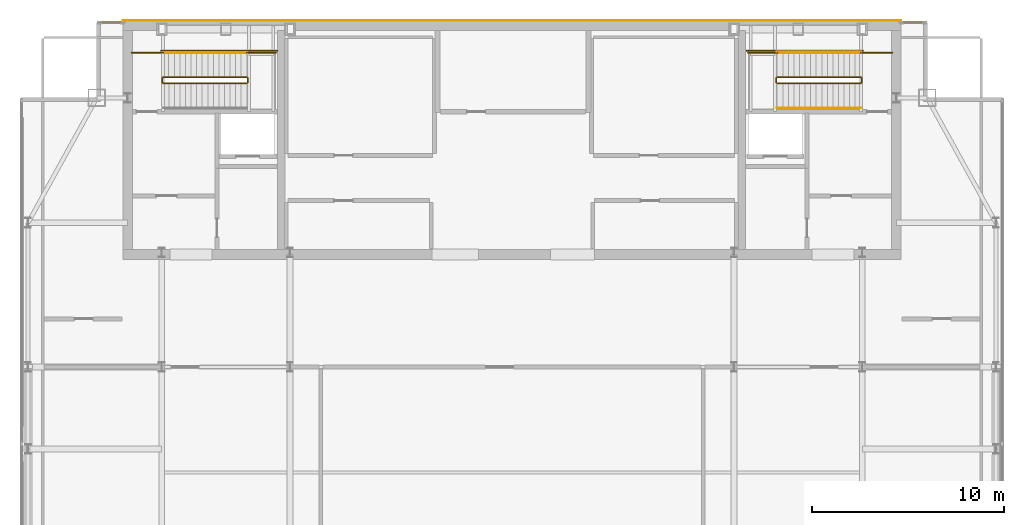
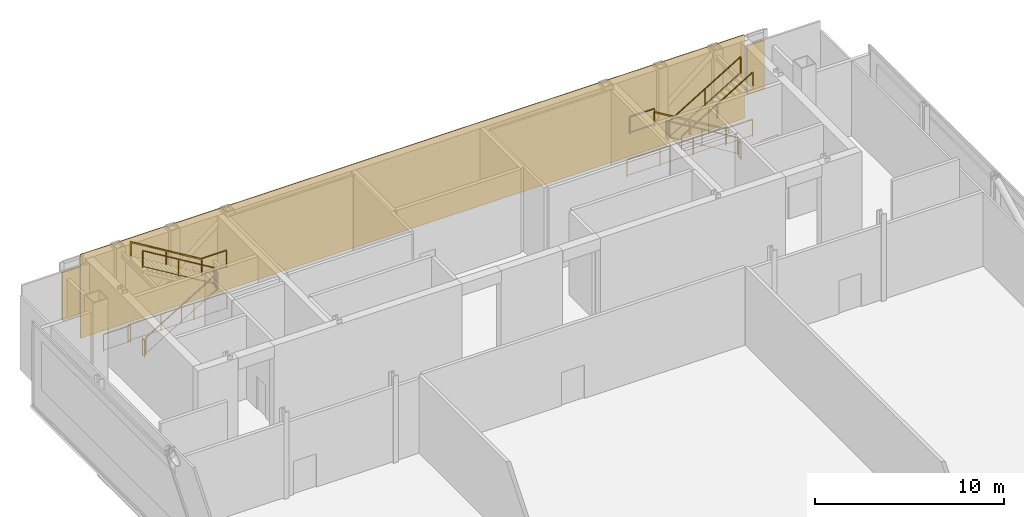
# One storey, part 22 of 22: 17 railings, 2 shading devices, 1 covering.
"""IFC4 building model written with IfcOpenShell, lengths in metres."""

from ifc_helpers import new_model, si_unit, direction, frame, origin, origin_2d, place, context, subcontext, project, spatial, polyline, rectangle, outline, extrude, material, layer, layer_set, type_object, element, save


model = new_model("IFC4")

# Units and contexts
model_context = context("Model", 3, precision=1e-05, world=origin(), true_north=direction((0.0, 1.0)))
body_context = subcontext(model_context, "Body", "Model", "MODEL_VIEW")
ifc_project = project(units=[si_unit("LENGTHUNIT", "METRE"), si_unit("AREAUNIT", "SQUARE_METRE"), si_unit("VOLUMEUNIT", "CUBIC_METRE"), si_unit("PLANEANGLEUNIT", "RADIAN"), si_unit("MASSUNIT", "GRAM", prefix="KILO")], contexts=[model_context])

# Site, building, storey
site_placement = place(None, origin())
site = spatial("IfcSite", under=ifc_project, at=site_placement, CompositionType="ELEMENT")
building_placement = place(site_placement, origin())
building = spatial("IfcBuilding", under=site, at=building_placement, Name="Khoronbel Lancet Exchange", CompositionType="ELEMENT")
storey_placement = place(building_placement, frame((0.0, 0.0, 367.39990234375)))
storey = spatial("IfcBuildingStorey", under=building, at=storey_placement, Name="L94", CompositionType="ELEMENT", Elevation=367.39990234375)

# Covering
ifc_material_1 = material(Name="Honed Egyptian Limestone & Bronze Rainscreen", Category="masonry")
ifc_layer_1 = layer(ifc_material_1, 0.050048828125, Name="Honed Egyptian Limestone & Bronze Rainscreen")
ifc_layer_set_1 = layer_set([ifc_layer_1], Name="Honed Egyptian Limestone & Bronze Rainscreen")
covering_type = type_object("IfcCoveringType", Name="COV-CLAD1", PredefinedType="CLADDING", material=ifc_layer_set_1)
covering_placement = place(storey_placement, origin())
element("IfcCovering", 1, at=covering_placement, inside=storey, type_object=covering_type, Name="Level L94 north rear-core stone and bronze rainscreen cladding", PredefinedType="CLADDING", context=body_context, shape_type="SweptSolid", body=[
    extrude(outline(polyline([(16.199951171875, 53.699951171875), (56.699951171875, 53.699951171875), (56.699951171875, 53.75), (16.199951171875, 53.75), (16.199951171875, 53.699951171875)])), origin(), (0.0, 0.0, 1.0), 5.400146484375),
])

# Railings
ifc_material_2 = material(Name="Painted Steel Balustrade", Category="steel")
railing_type_1 = type_object("IfcRailingType", Name="RL-STG110", PredefinedType="GUARDRAIL", material=ifc_material_2)
railing_1_placement = place(storey_placement, frame((18.300048828125, 50.449951171875, 0.175048828125)))
element("IfcRailing", 2, at=railing_1_placement, inside=storey, type_object=railing_type_1, Name="L94 ST1 stair guard 1", PredefinedType="GUARDRAIL", context=body_context, shape_type="SweptSolid", body=[
    extrude(rectangle(XDim=0.048095703125, YDim=0.048095703125, at=origin_2d()), frame((0.0, 0.0, 1.09619140625), z_axis=(0.856179964356, 0.0, 0.516677722218), x_axis=(0.0, 1.0, 0.0)), (0.0, 0.0, 1.0), 5.08056640625),
    extrude(rectangle(XDim=0.02392578125, YDim=0.02392578125, at=origin_2d()), frame((0.0, 0.0, 0.080078125), z_axis=(0.856179964356, 0.0, 0.516677722218), x_axis=(0.0, 1.0, 0.0)), (0.0, 0.0, 1.0), 5.08056640625),
    extrude(rectangle(XDim=0.0419921875, YDim=0.0419921875, at=origin_2d()), origin(), (0.0, 0.0, 1.0), 1.072021484375),
    extrude(rectangle(XDim=0.0419921875, YDim=0.0419921875, at=origin_2d()), frame((2.1748046875, 0.0, 1.3125)), (0.0, 0.0, 1.0), 1.072021484375),
    extrude(rectangle(XDim=0.0419921875, YDim=0.0419921875, at=origin_2d()), frame((4.349853515625, 0.0, 2.625)), (0.0, 0.0, 1.0), 1.072021484375),
])
railing_2_placement = place(storey_placement, frame((22.699951171875, 50.5, 2.800048828125)))
element("IfcRailing", 3, at=railing_2_placement, inside=storey, type_object=railing_type_1, Name="L94 ST1 stair guard 2", PredefinedType="GUARDRAIL", context=body_context, shape_type="SweptSolid", body=[
    extrude(rectangle(XDim=0.048095703125, YDim=0.048095703125, at=origin_2d()), frame((0.0, 0.0, 1.09619140625), z_axis=(0.0, 1.0, 0.0), x_axis=(-1.0, 0.0, 0.0)), (0.0, 0.0, 1.0), 0.219970703125),
    extrude(rectangle(XDim=0.02392578125, YDim=0.02392578125, at=origin_2d()), frame((0.0, 0.0, 0.080078125), z_axis=(0.0, 1.0, 0.0), x_axis=(-1.0, 0.0, 0.0)), (0.0, 0.0, 1.0), 0.219970703125),
    extrude(rectangle(XDim=0.0419921875, YDim=0.0419921875, at=origin_2d()), origin(), (0.0, 0.0, 1.0), 1.072021484375),
    extrude(rectangle(XDim=0.0419921875, YDim=0.0419921875, at=origin_2d()), frame((0.0, 0.219970703125, 0.0)), (0.0, 0.0, 1.0), 1.072021484375),
])
railing_3_placement = place(storey_placement, frame((22.64990234375, 52.050048828125, 2.800048828125)))
element("IfcRailing", 4, at=railing_3_placement, inside=storey, type_object=railing_type_1, Name="L94 ST1 stair guard 3", PredefinedType="GUARDRAIL", context=body_context, shape_type="SweptSolid", body=[
    extrude(rectangle(XDim=0.048095703125, YDim=0.048095703125, at=origin_2d()), frame((0.0, 0.0, 1.09619140625), z_axis=(1.0, 0.0, 0.0), x_axis=(0.0, 1.0, 0.0)), (0.0, 0.0, 1.0), 1.5),
    extrude(rectangle(XDim=0.02392578125, YDim=0.02392578125, at=origin_2d()), frame((0.0, 0.0, 0.080078125), z_axis=(1.0, 0.0, 0.0), x_axis=(0.0, 1.0, 0.0)), (0.0, 0.0, 1.0), 1.5),
    extrude(rectangle(XDim=0.0419921875, YDim=0.0419921875, at=origin_2d()), origin(), (0.0, 0.0, 1.0), 1.072021484375),
    extrude(rectangle(XDim=0.0419921875, YDim=0.0419921875, at=origin_2d()), frame((1.5, 0.0, 0.0)), (0.0, 0.0, 1.0), 1.072021484375),
])
railing_4_placement = place(storey_placement, frame((22.64990234375, 50.77001953125, 2.97509765625)))
element("IfcRailing", 5, at=railing_4_placement, inside=storey, type_object=railing_type_1, Name="L94 ST1 stair guard 4", PredefinedType="GUARDRAIL", context=body_context, shape_type="SweptSolid", body=[
    extrude(rectangle(XDim=0.048095703125, YDim=0.048095703125, at=origin_2d()), frame((0.0, 0.0, 1.09619140625), z_axis=(-0.856179964356, 0.0, 0.516677722218), x_axis=(0.0, -1.0, 0.0)), (0.0, 0.0, 1.0), 5.08056640625),
    extrude(rectangle(XDim=0.02392578125, YDim=0.02392578125, at=origin_2d()), frame((0.0, 0.0, 0.080078125), z_axis=(-0.856179964356, 0.0, 0.516677722218), x_axis=(0.0, -1.0, 0.0)), (0.0, 0.0, 1.0), 5.08056640625),
    extrude(rectangle(XDim=0.0419921875, YDim=0.0419921875, at=origin_2d()), origin(), (0.0, 0.0, 1.0), 1.072021484375),
    extrude(rectangle(XDim=0.0419921875, YDim=0.0419921875, at=origin_2d()), frame((-2.1748046875, 0.0, 1.3125)), (0.0, 0.0, 1.0), 1.072021484375),
    extrude(rectangle(XDim=0.0419921875, YDim=0.0419921875, at=origin_2d()), frame((-4.349853515625, 0.0, 2.625)), (0.0, 0.0, 1.0), 1.072021484375),
])
railing_5_placement = place(storey_placement, frame((18.25, 50.5, 0.0)))
element("IfcRailing", 6, at=railing_5_placement, inside=storey, type_object=railing_type_1, Name="L94 ST1 stair guard 5", PredefinedType="GUARDRAIL", context=body_context, shape_type="SweptSolid", body=[
    extrude(rectangle(XDim=0.048095703125, YDim=0.048095703125, at=origin_2d()), frame((0.0, 0.0, 1.09619140625), z_axis=(0.0, 1.0, 0.0), x_axis=(-1.0, 0.0, 0.0)), (0.0, 0.0, 1.0), 0.219970703125),
    extrude(rectangle(XDim=0.02392578125, YDim=0.02392578125, at=origin_2d()), frame((0.0, 0.0, 0.080078125), z_axis=(0.0, 1.0, 0.0), x_axis=(-1.0, 0.0, 0.0)), (0.0, 0.0, 1.0), 0.219970703125),
    extrude(rectangle(XDim=0.0419921875, YDim=0.0419921875, at=origin_2d()), origin(), (0.0, 0.0, 1.0), 1.072021484375),
    extrude(rectangle(XDim=0.0419921875, YDim=0.0419921875, at=origin_2d()), frame((0.0, 0.219970703125, 0.0)), (0.0, 0.0, 1.0), 1.072021484375),
])
railing_6_placement = place(storey_placement, frame((16.64990234375, 52.050048828125, 0.0)))
element("IfcRailing", 7, at=railing_6_placement, inside=storey, type_object=railing_type_1, Name="L94 ST1 stair guard 6", PredefinedType="GUARDRAIL", context=body_context, shape_type="SweptSolid", body=[
    extrude(rectangle(XDim=0.048095703125, YDim=0.048095703125, at=origin_2d()), frame((0.0, 0.0, 1.09619140625), z_axis=(1.0, 0.0, 0.0), x_axis=(0.0, 1.0, 0.0)), (0.0, 0.0, 1.0), 1.650146484375),
    extrude(rectangle(XDim=0.02392578125, YDim=0.02392578125, at=origin_2d()), frame((0.0, 0.0, 0.080078125), z_axis=(1.0, 0.0, 0.0), x_axis=(0.0, 1.0, 0.0)), (0.0, 0.0, 1.0), 1.650146484375),
    extrude(rectangle(XDim=0.0419921875, YDim=0.0419921875, at=origin_2d()), origin(), (0.0, 0.0, 1.0), 1.072021484375),
    extrude(rectangle(XDim=0.0419921875, YDim=0.0419921875, at=origin_2d()), frame((1.650146484375, 0.0, 0.0)), (0.0, 0.0, 1.0), 1.072021484375),
])
railing_7_placement = place(storey_placement, frame((18.199951171875, 52.14990234375, 0.0)))
element("IfcRailing", 8, at=railing_7_placement, inside=storey, type_object=railing_type_1, Name="L94 ST1 stair guard 7", PredefinedType="GUARDRAIL", context=body_context, shape_type="SweptSolid", body=[
    extrude(rectangle(XDim=0.048095703125, YDim=0.048095703125, at=origin_2d()), frame((0.0, 0.0, 1.09619140625), z_axis=(1.0, 0.0, 0.0), x_axis=(0.0, 1.0, 0.0)), (0.0, 0.0, 1.0), 6.050048828125),
    extrude(rectangle(XDim=0.02392578125, YDim=0.02392578125, at=origin_2d()), frame((0.0, 0.0, 0.080078125), z_axis=(1.0, 0.0, 0.0), x_axis=(0.0, 1.0, 0.0)), (0.0, 0.0, 1.0), 6.050048828125),
    extrude(rectangle(XDim=0.0419921875, YDim=0.0419921875, at=origin_2d()), origin(), (0.0, 0.0, 1.0), 1.072021484375),
    extrude(rectangle(XDim=0.0419921875, YDim=0.0419921875, at=origin_2d()), frame((2.0166015625, 0.0, 0.0)), (0.0, 0.0, 1.0), 1.072021484375),
    extrude(rectangle(XDim=0.0419921875, YDim=0.0419921875, at=origin_2d()), frame((4.033447265625, 0.0, 0.0)), (0.0, 0.0, 1.0), 1.072021484375),
    extrude(rectangle(XDim=0.0419921875, YDim=0.0419921875, at=origin_2d()), frame((6.050048828125, 0.0, 0.0)), (0.0, 0.0, 1.0), 1.072021484375),
])
railing_8_placement = place(storey_placement, frame((54.60009765625, 50.77001953125, 0.175048828125)))
element("IfcRailing", 9, at=railing_8_placement, inside=storey, type_object=railing_type_1, Name="L94 ST2 stair guard 1", PredefinedType="GUARDRAIL", context=body_context, shape_type="SweptSolid", body=[
    extrude(rectangle(XDim=0.048095703125, YDim=0.048095703125, at=origin_2d()), frame((0.0, 0.0, 1.09619140625), z_axis=(-0.856192791889, 0.0, 0.516656465282), x_axis=(0.0, -1.0, 0.0)), (0.0, 0.0, 1.0), 5.080810546875),
    extrude(rectangle(XDim=0.02392578125, YDim=0.02392578125, at=origin_2d()), frame((0.0, 0.0, 0.080078125), z_axis=(-0.856192791889, 0.0, 0.516656465282), x_axis=(0.0, -1.0, 0.0)), (0.0, 0.0, 1.0), 5.080810546875),
    extrude(rectangle(XDim=0.0419921875, YDim=0.0419921875, at=origin_2d()), origin(), (0.0, 0.0, 1.0), 1.072021484375),
    extrude(rectangle(XDim=0.0419921875, YDim=0.0419921875, at=origin_2d()), frame((-2.175048828125, 0.0, 1.3125)), (0.0, 0.0, 1.0), 1.072021484375),
    extrude(rectangle(XDim=0.0419921875, YDim=0.0419921875, at=origin_2d()), frame((-4.35009765625, 0.0, 2.625)), (0.0, 0.0, 1.0), 1.072021484375),
])
railing_9_placement = place(storey_placement, frame((50.199951171875, 50.719970703125, 2.800048828125)))
element("IfcRailing", 10, at=railing_9_placement, inside=storey, type_object=railing_type_1, Name="L94 ST2 stair guard 2", PredefinedType="GUARDRAIL", context=body_context, shape_type="SweptSolid", body=[
    extrude(rectangle(XDim=0.048095703125, YDim=0.048095703125, at=origin_2d()), frame((0.0, 0.0, 1.09619140625), z_axis=(0.0, -1.0, 0.0), x_axis=(1.0, 0.0, 0.0)), (0.0, 0.0, 1.0), 0.219970703125),
    extrude(rectangle(XDim=0.02392578125, YDim=0.02392578125, at=origin_2d()), frame((0.0, 0.0, 0.080078125), z_axis=(0.0, -1.0, 0.0), x_axis=(1.0, 0.0, 0.0)), (0.0, 0.0, 1.0), 0.219970703125),
    extrude(rectangle(XDim=0.0419921875, YDim=0.0419921875, at=origin_2d()), origin(), (0.0, 0.0, 1.0), 1.072021484375),
    extrude(rectangle(XDim=0.0419921875, YDim=0.0419921875, at=origin_2d()), frame((0.0, -0.219970703125, 0.0)), (0.0, 0.0, 1.0), 1.072021484375),
])
railing_10_placement = place(storey_placement, frame((50.25, 52.050048828125, 2.800048828125)))
element("IfcRailing", 11, at=railing_10_placement, inside=storey, type_object=railing_type_1, Name="L94 ST2 stair guard 3", PredefinedType="GUARDRAIL", context=body_context, shape_type="SweptSolid", body=[
    extrude(rectangle(XDim=0.048095703125, YDim=0.048095703125, at=origin_2d()), frame((0.0, 0.0, 1.09619140625), z_axis=(-1.0, 0.0, 0.0), x_axis=(0.0, -1.0, 0.0)), (0.0, 0.0, 1.0), 1.5),
    extrude(rectangle(XDim=0.02392578125, YDim=0.02392578125, at=origin_2d()), frame((0.0, 0.0, 0.080078125), z_axis=(-1.0, 0.0, 0.0), x_axis=(0.0, -1.0, 0.0)), (0.0, 0.0, 1.0), 1.5),
    extrude(rectangle(XDim=0.0419921875, YDim=0.0419921875, at=origin_2d()), origin(), (0.0, 0.0, 1.0), 1.072021484375),
    extrude(rectangle(XDim=0.0419921875, YDim=0.0419921875, at=origin_2d()), frame((-1.5, 0.0, 0.0)), (0.0, 0.0, 1.0), 1.072021484375),
])
railing_11_placement = place(storey_placement, frame((50.25, 50.449951171875, 2.97509765625)))
element("IfcRailing", 12, at=railing_11_placement, inside=storey, type_object=railing_type_1, Name="L94 ST2 stair guard 4", PredefinedType="GUARDRAIL", context=body_context, shape_type="SweptSolid", body=[
    extrude(rectangle(XDim=0.048095703125, YDim=0.048095703125, at=origin_2d()), frame((0.0, 0.0, 1.09619140625), z_axis=(0.856192791889, 0.0, 0.516656465282), x_axis=(0.0, 1.0, 0.0)), (0.0, 0.0, 1.0), 5.080810546875),
    extrude(rectangle(XDim=0.02392578125, YDim=0.02392578125, at=origin_2d()), frame((0.0, 0.0, 0.080078125), z_axis=(0.856192791889, 0.0, 0.516656465282), x_axis=(0.0, 1.0, 0.0)), (0.0, 0.0, 1.0), 5.080810546875),
    extrude(rectangle(XDim=0.0419921875, YDim=0.0419921875, at=origin_2d()), origin(), (0.0, 0.0, 1.0), 1.072021484375),
    extrude(rectangle(XDim=0.0419921875, YDim=0.0419921875, at=origin_2d()), frame((2.175048828125, 0.0, 1.3125)), (0.0, 0.0, 1.0), 1.072021484375),
    extrude(rectangle(XDim=0.0419921875, YDim=0.0419921875, at=origin_2d()), frame((4.35009765625, 0.0, 2.625)), (0.0, 0.0, 1.0), 1.072021484375),
])
railing_12_placement = place(storey_placement, frame((54.64990234375, 50.719970703125, 0.0)))
element("IfcRailing", 13, at=railing_12_placement, inside=storey, type_object=railing_type_1, Name="L94 ST2 stair guard 5", PredefinedType="GUARDRAIL", context=body_context, shape_type="SweptSolid", body=[
    extrude(rectangle(XDim=0.048095703125, YDim=0.048095703125, at=origin_2d()), frame((0.0, 0.0, 1.09619140625), z_axis=(0.0, -1.0, 0.0), x_axis=(1.0, 0.0, 0.0)), (0.0, 0.0, 1.0), 0.219970703125),
    extrude(rectangle(XDim=0.02392578125, YDim=0.02392578125, at=origin_2d()), frame((0.0, 0.0, 0.080078125), z_axis=(0.0, -1.0, 0.0), x_axis=(1.0, 0.0, 0.0)), (0.0, 0.0, 1.0), 0.219970703125),
    extrude(rectangle(XDim=0.0419921875, YDim=0.0419921875, at=origin_2d()), origin(), (0.0, 0.0, 1.0), 1.072021484375),
    extrude(rectangle(XDim=0.0419921875, YDim=0.0419921875, at=origin_2d()), frame((0.0, -0.219970703125, 0.0)), (0.0, 0.0, 1.0), 1.072021484375),
])
railing_13_placement = place(storey_placement, frame((56.25, 52.050048828125, 0.0)))
element("IfcRailing", 14, at=railing_13_placement, inside=storey, type_object=railing_type_1, Name="L94 ST2 stair guard 6", PredefinedType="GUARDRAIL", context=body_context, shape_type="SweptSolid", body=[
    extrude(rectangle(XDim=0.048095703125, YDim=0.048095703125, at=origin_2d()), frame((0.0, 0.0, 1.09619140625), z_axis=(-1.0, 0.0, 0.0), x_axis=(0.0, -1.0, 0.0)), (0.0, 0.0, 1.0), 1.64990234375),
    extrude(rectangle(XDim=0.02392578125, YDim=0.02392578125, at=origin_2d()), frame((0.0, 0.0, 0.080078125), z_axis=(-1.0, 0.0, 0.0), x_axis=(0.0, -1.0, 0.0)), (0.0, 0.0, 1.0), 1.64990234375),
    extrude(rectangle(XDim=0.0419921875, YDim=0.0419921875, at=origin_2d()), origin(), (0.0, 0.0, 1.0), 1.072021484375),
    extrude(rectangle(XDim=0.0419921875, YDim=0.0419921875, at=origin_2d()), frame((-1.64990234375, 0.0, 0.0)), (0.0, 0.0, 1.0), 1.072021484375),
])
railing_14_placement = place(storey_placement, frame((54.699951171875, 52.14990234375, 0.0)))
element("IfcRailing", 15, at=railing_14_placement, inside=storey, type_object=railing_type_1, Name="L94 ST2 stair guard 7", PredefinedType="GUARDRAIL", context=body_context, shape_type="SweptSolid", body=[
    extrude(rectangle(XDim=0.048095703125, YDim=0.048095703125, at=origin_2d()), frame((0.0, 0.0, 1.09619140625), z_axis=(-1.0, 0.0, 0.0), x_axis=(0.0, -1.0, 0.0)), (0.0, 0.0, 1.0), 6.050048828125),
    extrude(rectangle(XDim=0.02392578125, YDim=0.02392578125, at=origin_2d()), frame((0.0, 0.0, 0.080078125), z_axis=(-1.0, 0.0, 0.0), x_axis=(0.0, -1.0, 0.0)), (0.0, 0.0, 1.0), 6.050048828125),
    extrude(rectangle(XDim=0.0419921875, YDim=0.0419921875, at=origin_2d()), origin(), (0.0, 0.0, 1.0), 1.072021484375),
    extrude(rectangle(XDim=0.0419921875, YDim=0.0419921875, at=origin_2d()), frame((-2.0166015625, 0.0, 0.0)), (0.0, 0.0, 1.0), 1.072021484375),
    extrude(rectangle(XDim=0.0419921875, YDim=0.0419921875, at=origin_2d()), frame((-4.033447265625, 0.0, 0.0)), (0.0, 0.0, 1.0), 1.072021484375),
    extrude(rectangle(XDim=0.0419921875, YDim=0.0419921875, at=origin_2d()), frame((-6.050048828125, 0.0, 0.0)), (0.0, 0.0, 1.0), 1.072021484375),
])
ifc_material_3 = material(Name="Brushed Stainless Steel 316", Category="steel")
railing_type_2 = type_object("IfcRailingType", Name="RL-STH92", PredefinedType="HANDRAIL", material=ifc_material_3)
railing_15_placement = place(storey_placement, frame((22.64990234375, 52.050048828125, 2.97509765625)))
element("IfcRailing", 16, at=railing_15_placement, inside=storey, type_object=railing_type_2, Name="L94 ST1 stair handrail 2", PredefinedType="HANDRAIL", context=body_context, shape_type="SweptSolid", body=[
    extrude(rectangle(XDim=0.048095703125, YDim=0.048095703125, at=origin_2d()), frame((0.0, 0.0, 0.8759765625), z_axis=(-0.856179964356, 0.0, 0.516677722218), x_axis=(0.0, -1.0, 0.0)), (0.0, 0.0, 1.0), 5.08056640625),
    extrude(rectangle(XDim=0.0419921875, YDim=0.0419921875, at=origin_2d()), origin(), (0.0, 0.0, 1.0), 0.851806640625),
    extrude(rectangle(XDim=0.0419921875, YDim=0.0419921875, at=origin_2d()), frame((-2.1748046875, 0.0, 1.3125)), (0.0, 0.0, 1.0), 0.851806640625),
    extrude(rectangle(XDim=0.0419921875, YDim=0.0419921875, at=origin_2d()), frame((-4.349853515625, 0.0, 2.625)), (0.0, 0.0, 1.0), 0.851806640625),
])
railing_16_placement = place(storey_placement, frame((54.60009765625, 52.050048828125, 0.175048828125)))
element("IfcRailing", 17, at=railing_16_placement, inside=storey, type_object=railing_type_2, Name="L94 ST2 stair handrail 1", PredefinedType="HANDRAIL", context=body_context, shape_type="SweptSolid", body=[
    extrude(rectangle(XDim=0.048095703125, YDim=0.048095703125, at=origin_2d()), frame((0.0, 0.0, 0.8759765625), z_axis=(-0.856192791889, 0.0, 0.516656465282), x_axis=(0.0, -1.0, 0.0)), (0.0, 0.0, 1.0), 5.080810546875),
    extrude(rectangle(XDim=0.0419921875, YDim=0.0419921875, at=origin_2d()), origin(), (0.0, 0.0, 1.0), 0.851806640625),
    extrude(rectangle(XDim=0.0419921875, YDim=0.0419921875, at=origin_2d()), frame((-2.175048828125, 0.0, 1.3125)), (0.0, 0.0, 1.0), 0.851806640625),
    extrude(rectangle(XDim=0.0419921875, YDim=0.0419921875, at=origin_2d()), frame((-4.35009765625, 0.0, 2.625)), (0.0, 0.0, 1.0), 0.851806640625),
])
railing_17_placement = place(storey_placement, frame((50.25, 49.169921875, 2.97509765625)))
element("IfcRailing", 18, at=railing_17_placement, inside=storey, type_object=railing_type_2, Name="L94 ST2 stair handrail 2", PredefinedType="HANDRAIL", context=body_context, shape_type="SweptSolid", body=[
    extrude(rectangle(XDim=0.048095703125, YDim=0.048095703125, at=origin_2d()), frame((0.0, 0.0, 0.8759765625), z_axis=(0.856192791889, 0.0, 0.516656465282), x_axis=(0.0, 1.0, 0.0)), (0.0, 0.0, 1.0), 5.080810546875),
    extrude(rectangle(XDim=0.0419921875, YDim=0.0419921875, at=origin_2d()), origin(), (0.0, 0.0, 1.0), 0.851806640625),
    extrude(rectangle(XDim=0.0419921875, YDim=0.0419921875, at=origin_2d()), frame((2.175048828125, 0.0, 1.3125)), (0.0, 0.0, 1.0), 0.851806640625),
    extrude(rectangle(XDim=0.0419921875, YDim=0.0419921875, at=origin_2d()), frame((4.35009765625, 0.0, 2.625)), (0.0, 0.0, 1.0), 0.851806640625),
])

# Shading devices
ifc_material_4 = material(Name="Bronze-Anodised Aluminium 6063-T6", Category="aluminium")
ifc_layer_2 = layer(ifc_material_4, 0.159912109375, Name="Bronze-Anodised Aluminium 6063-T6")
ifc_layer_set_2 = layer_set([ifc_layer_2], Name="Bronze-Anodised Aluminium 6063-T6")
shading_device_type = type_object("IfcShadingDeviceType", Name="SHD-LVR2", PredefinedType="JALOUSIE", material=ifc_layer_set_2)
for number, where, z_axis, x_axis, name in (
    (19, (15.580078125, 53.64990234375, 1.57763671875), (0.0, 0.0, 1.0), (-1.0, 0.0, 0.0), "Sand-trap bronze acoustic louvre CW-L94-NWFLK-1"),
    (20, (57.320068359375, 53.64990234375, 1.57763671875), (0.0, 0.0, 1.0), (-1.0, 0.0, 0.0), "Sand-trap bronze acoustic louvre CW-L94-NEFLK-1"),
):
    element("IfcShadingDevice", number, at=place(storey_placement, frame(where, z_axis=z_axis, x_axis=x_axis)), inside=storey, type_object=shading_device_type, Name=name, PredefinedType="JALOUSIE", context=body_context, shape_type="SweptSolid", body=[
        extrude(rectangle(XDim=1.071044921875, YDim=0.1201171875, at=origin_2d()), origin(), (0.0, 0.0, 1.0), 3.124755859375),
    ])

save(model, "model.ifc")
